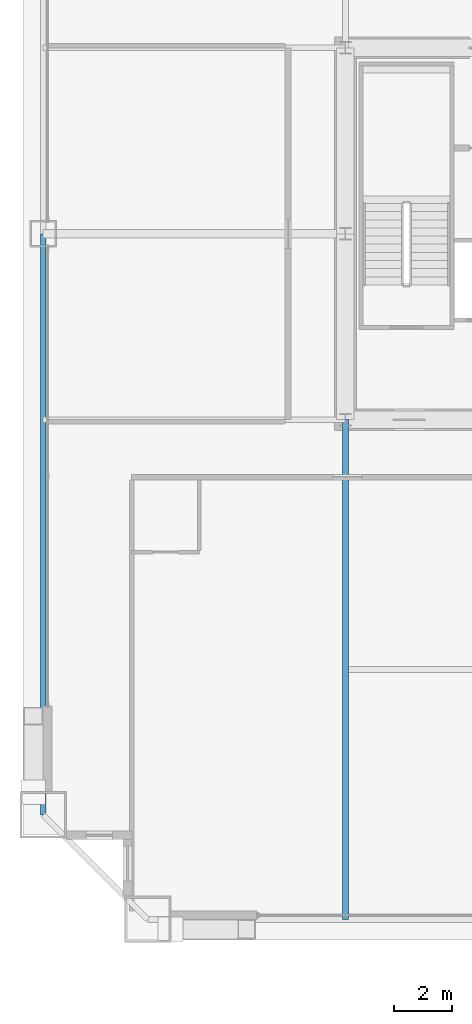
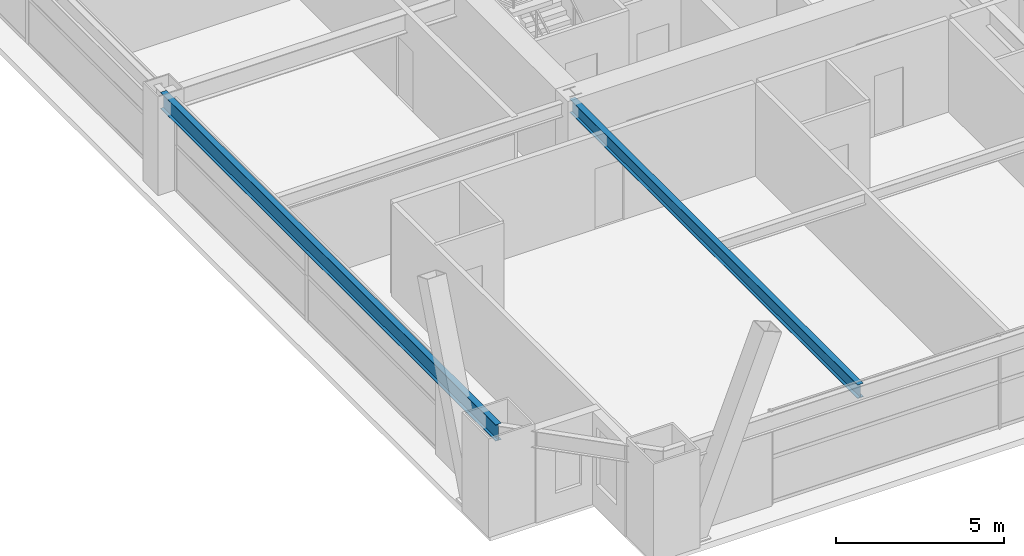
# One storey, part 7 of 41: 2 beams.
"""IFC4 building model written with IfcOpenShell, lengths in metres."""

import ifcopenshell
import ifcopenshell.guid

model = None  # the IFC model being written
_history = None  # IfcOwnerHistory: only IFC2X3 demands one
_inside = {}  # id of a spatial element -> (the spatial element, [elements in it])
_under = {}  # id of a project, library or spatial element -> (it, [spatial elements below it])
_declared = {}  # id of a project -> (the project, [libraries it declares])
_typed = {}  # id of a type object -> (the type object, [elements of that type])
_made_of = {}  # id of a material, layer set ... -> (it, [elements and type objects made of it])


def new_model(schema):
    """Start an empty IFC model of exactly this schema.

    Asked for "IFC4X3", IfcOpenShell would pick the latest addendum, in which some entities
    have other attributes; the version numbers below select the first issue.
    IFC2X3 requires an IfcOwnerHistory on every rooted entity: one is made here for all.
    """
    global model, _history
    if schema == "IFC4X3":
        model = ifcopenshell.file(schema_version=(4, 3, 0, 0))
    else:
        model = ifcopenshell.file(schema=schema)
    _inside.clear()
    _under.clear()
    _declared.clear()
    _typed.clear()
    _made_of.clear()
    _history = None
    if model.schema == "IFC2X3":
        org = make("IfcOrganization", Name="unknown")
        user = make(
            "IfcPersonAndOrganization",
            ThePerson=make("IfcPerson", FamilyName="unknown"),
            TheOrganization=org,
        )
        app = make(
            "IfcApplication",
            ApplicationDeveloper=org,
            Version="unknown",
            ApplicationFullName="unknown",
            ApplicationIdentifier="unknown",
        )
        _history = make(
            "IfcOwnerHistory",
            OwningUser=user,
            OwningApplication=app,
            ChangeAction="ADDED",
            CreationDate=0,
        )
    return model


def make(cls, **values):
    """One entity of the class cls with the attributes given. An attribute that is None is left unset."""
    return model.create_entity(
        cls, **{name: value for name, value in values.items() if value is not None}
    )


def rooted(cls, **values):
    """An entity with a GlobalId (a new one), such as an element, a storey or a relation."""
    return make(cls, GlobalId=ifcopenshell.guid.new(), OwnerHistory=_history, **values)


def si_unit(unit_type, name, prefix=None):
    """IfcSIUnit, for example si_unit("LENGTHUNIT", "METRE", prefix="MILLI")."""
    return make("IfcSIUnit", UnitType=unit_type, Prefix=prefix, Name=name)


def assignment(units):
    """IfcUnitAssignment: the units of a project."""
    return None if units is None else make("IfcUnitAssignment", Units=units)


def point(xyz):
    """IfcCartesianPoint."""
    return None if xyz is None else make("IfcCartesianPoint", Coordinates=xyz)


def direction(xyz):
    """IfcDirection."""
    return None if xyz is None else make("IfcDirection", DirectionRatios=xyz)


def frame(location, z_axis=None, x_axis=None):
    """IfcAxis2Placement3D, a coordinate frame: its origin and axes. An axis left out is left unset."""
    return make(
        "IfcAxis2Placement3D",
        Location=point(location),
        Axis=direction(z_axis),
        RefDirection=direction(x_axis),
    )


def frame_2d(location, x_axis=None):
    """IfcAxis2Placement2D, a coordinate frame in the plane: its origin and x axis."""
    return make(
        "IfcAxis2Placement2D", Location=point(location), RefDirection=direction(x_axis)
    )


def origin():
    """The frame at (0, 0, 0) with its axes left unset."""
    return frame((0.0, 0.0, 0.0))


def origin_2d():
    """The frame at (0, 0) in the plane with its x axis left unset."""
    return frame_2d((0.0, 0.0))


def place(relative_to, where):
    """IfcLocalPlacement: puts the frame where relative to a parent placement (None: the world)."""
    return make(
        "IfcLocalPlacement", PlacementRelTo=relative_to, RelativePlacement=where
    )


def context(
    kind, dimensions, precision=None, world=None, true_north=None, identifier=None
):
    """IfcGeometricRepresentationContext, for example the 3D "Model" context."""
    return make(
        "IfcGeometricRepresentationContext",
        ContextIdentifier=identifier,
        ContextType=kind,
        CoordinateSpaceDimension=dimensions,
        Precision=precision,
        WorldCoordinateSystem=world,
        TrueNorth=true_north,
    )


def subcontext(parent, identifier, kind, view, scale=None):
    """IfcGeometricRepresentationSubContext, for example "Body" below "Model"."""
    return make(
        "IfcGeometricRepresentationSubContext",
        ContextIdentifier=identifier,
        ContextType=kind,
        ParentContext=parent,
        TargetScale=scale,
        TargetView=view,
    )


def project(units=None, contexts=None):
    """IfcProject with its units and contexts."""
    return rooted(
        "IfcProject",
        Name="project",
        RepresentationContexts=contexts,
        UnitsInContext=assignment(units),
    )


def spatial(cls, under=None, at=None, **own):
    """A site, building, storey or space (cls), placed at a placement, below another one or the project."""
    s = rooted(cls, ObjectPlacement=at, **own)
    if under is not None:
        _under.setdefault(under.id(), (under, []))[1].append(s)
    return s


def profile(cls, at=None, kind="AREA", **sizes):
    """A parametric profile (cls). Its sizes go by their IFC names, for example OverallWidth=200.0."""
    return make(cls, ProfileType=kind, Position=at, **sizes)


def i_section(**sizes):
    """IfcIShapeProfileDef."""
    return profile("IfcIShapeProfileDef", **sizes)


def extrude(swept, where, along, depth):
    """IfcExtrudedAreaSolid: the profile swept, set in the frame where, extruded along a direction by depth."""
    return make(
        "IfcExtrudedAreaSolid",
        SweptArea=swept,
        Position=where,
        ExtrudedDirection=direction(along),
        Depth=depth,
    )


def shape(context_of_items, identifier, shape_type, items):
    """IfcShapeRepresentation: the items that make up one representation, for example the "Body"."""
    return make(
        "IfcShapeRepresentation",
        ContextOfItems=context_of_items,
        RepresentationIdentifier=identifier,
        RepresentationType=shape_type,
        Items=items,
    )


def source(mapping_origin, context_of_items, identifier, shape_type, items):
    """IfcRepresentationMap: a shape defined once, which mapped items show again and again."""
    return make(
        "IfcRepresentationMap",
        MappingOrigin=mapping_origin,
        MappedRepresentation=shape(context_of_items, identifier, shape_type, items),
    )


def transform(
    local_origin,
    x_axis=None,
    y_axis=None,
    z_axis=None,
    scale=None,
    scale2=None,
    scale3=None,
    uniform=True,
):
    """IfcCartesianTransformationOperator3D, or its non-uniform kind. x_axis, y_axis, z_axis: its Axis1, 2, 3."""
    if uniform:
        return make(
            "IfcCartesianTransformationOperator3D",
            Axis1=direction(x_axis),
            Axis2=direction(y_axis),
            LocalOrigin=point(local_origin),
            Scale=scale,
            Axis3=direction(z_axis),
        )
    return make(
        "IfcCartesianTransformationOperator3DnonUniform",
        Axis1=direction(x_axis),
        Axis2=direction(y_axis),
        LocalOrigin=point(local_origin),
        Scale=scale,
        Axis3=direction(z_axis),
        Scale2=scale2,
        Scale3=scale3,
    )


def mapped(mapping_source, mapping_target):
    """IfcMappedItem: shows the shape of a source again, moved by a transform."""
    return make(
        "IfcMappedItem", MappingSource=mapping_source, MappingTarget=mapping_target
    )


def material(Name=None, Category=None):
    """IfcMaterial."""
    return make("IfcMaterial", Name=Name, Category=Category)


def material_profile(
    of_material, cross_section, Name=None, Category=None, Priority=None
):
    """IfcMaterialProfile: a cross section and its material."""
    return make(
        "IfcMaterialProfile",
        Name=Name,
        Material=of_material,
        Profile=cross_section,
        Priority=Priority,
        Category=Category,
    )


def profile_set(profiles, Name=None, composite=None):
    """IfcMaterialProfileSet."""
    return make(
        "IfcMaterialProfileSet",
        Name=Name,
        MaterialProfiles=profiles,
        CompositeProfile=composite,
    )


def made_of(thing, what):
    """Note that an element or type object is made of a material, layer set ...; save() writes the relation."""
    if what is not None:
        _made_of.setdefault(what.id(), (what, []))[1].append(thing)
    return thing


def type_object(cls, material=None, **own):
    """A type object (cls), such as IfcWallType, which elements share."""
    return made_of(rooted(cls, **own), material)


def element(
    cls,
    number,
    at=None,
    inside=None,
    cuts=None,
    type_object=None,
    material=None,
    context=None,
    identifier="Body",
    shape_type=None,
    held_by="IfcProductDefinitionShape",
    body=None,
    shapes=None,
    **own,
):
    """One element of the class cls, such as IfcWall. Its Tag is "e" and its number.

    at: its placement. inside: the storey or other place that contains it. cuts: it is an
    opening in that element (IfcRelVoidsElement). A single representation is given by context,
    identifier, shape_type and body (its items); several are given by shapes. held_by: the class
    of the entity that holds the representations. save() writes the other relations.
    """
    e = rooted(cls, Tag="e%d" % number, ObjectPlacement=at, **own)
    if body is not None:
        shapes = [shape(context, identifier, shape_type, body)]
    if shapes is not None:
        e.Representation = make(held_by, Representations=shapes)
    if inside is not None:
        _inside.setdefault(inside.id(), (inside, []))[1].append(e)
    if cuts is not None:
        rooted(
            "IfcRelVoidsElement", RelatingBuildingElement=cuts, RelatedOpeningElement=e
        )
    if type_object is not None:
        _typed.setdefault(type_object.id(), (type_object, []))[1].append(e)
    return made_of(e, material)


def aggregate(whole, parts):
    """IfcRelAggregates: a whole, such as a stair, and the parts it consists of."""
    return rooted("IfcRelAggregates", RelatingObject=whole, RelatedObjects=parts)


def save(model, path):
    """Write the relations noted so far, then the file.

    IfcRelAggregates (storeys below a building ...), IfcRelContainedInSpatialStructure (elements
    in a storey), IfcRelDefinesByType, IfcRelAssociatesMaterial and IfcRelDeclares: one each for
    every whole, place, type object, material and project.
    """
    for whole, parts in _under.values():
        aggregate(whole, parts)
    for where, things in _inside.values():
        rooted(
            "IfcRelContainedInSpatialStructure",
            RelatedElements=things,
            RelatingStructure=where,
        )
    for kind, things in _typed.values():
        rooted("IfcRelDefinesByType", RelatedObjects=things, RelatingType=kind)
    for what, things in _made_of.values():
        rooted("IfcRelAssociatesMaterial", RelatedObjects=things, RelatingMaterial=what)
    for by, libraries in _declared.values():
        rooted("IfcRelDeclares", RelatingContext=by, RelatedDefinitions=libraries)
    model.write(path)


model = new_model("IFC4")

# Units and contexts
model_context = context("Model", 3, precision=1e-05, world=origin(), true_north=direction((0.0, 1.0)))
body_context = subcontext(model_context, "Body", "Model", "MODEL_VIEW")
ifc_project = project(units=[si_unit("LENGTHUNIT", "METRE"), si_unit("AREAUNIT", "SQUARE_METRE"), si_unit("VOLUMEUNIT", "CUBIC_METRE"), si_unit("PLANEANGLEUNIT", "RADIAN"), si_unit("MASSUNIT", "GRAM", prefix="KILO"), si_unit("THERMODYNAMICTEMPERATUREUNIT", "KELVIN"), si_unit("POWERUNIT", "WATT")], contexts=[model_context])

# Site, building, storey
site_placement = place(None, origin())
site = spatial("IfcSite", under=ifc_project, at=site_placement, CompositionType="ELEMENT")
building_placement = place(site_placement, origin())
building = spatial("IfcBuilding", under=site, at=building_placement, Name="Yuzanri Waterfront Tower", CompositionType="ELEMENT")
storey_placement = place(building_placement, frame((0.0, 0.0, 122.60009765625)))
storey = spatial("IfcBuildingStorey", under=building, at=storey_placement, Name="L32", CompositionType="ELEMENT", Elevation=122.60009765625)

# Beams
ifc_material_1 = material(Name="Steel Q355B", Category="steel")
ifc_material_profile_1 = material_profile(ifc_material_1, i_section(OverallWidth=0.199951171875, OverallDepth=0.60009765625, WebThickness=0.010986328125, FlangeThickness=0.01708984375, at=origin_2d()), Name="HN 600x200x11x17")
ifc_profile_set_1 = profile_set([ifc_material_profile_1], Name="Steel Q355B")
beam_type_1 = type_object("IfcBeamType", Name="Perimeter Spandrel Q355B HN 600x200", PredefinedType="SPANDREL", material=ifc_profile_set_1)
shared_shape_1 = source(origin(), body_context, "Body", "SweptSolid", [
    extrude(i_section(OverallWidth=0.199951171875, OverallDepth=0.60009765625, WebThickness=0.010986328125, FlangeThickness=0.01708984375, at=origin_2d()), origin(), (0.0, 0.0, 1.0), 20.0),
])
beam_1_placement = place(storey_placement, frame((13.39990234375, 25.800048828125, 3.079833984375), z_axis=(0.0, -1.0, 0.0), x_axis=(1.0, 0.0, 0.0)))
element("IfcBeam", 1, at=beam_1_placement, inside=storey, type_object=beam_type_1, Name="L32 Perimeter Spandrel W2-W1", PredefinedType="SPANDREL", context=body_context, shape_type="MappedRepresentation", body=[
    mapped(shared_shape_1, transform((0.0, 0.0, 0.0), scale=1.0)),
])
ifc_material_2 = material(Name="Steel Q355B", Category="steel")
ifc_material_profile_2 = material_profile(ifc_material_2, i_section(OverallWidth=0.199951171875, OverallDepth=0.5, WebThickness=0.010009765625, FlangeThickness=0.01611328125, at=origin_2d()), Name="HN 500x200x10x16")
ifc_profile_set_2 = profile_set([ifc_material_profile_2], Name="Steel Q355B")
beam_type_2 = type_object("IfcBeamType", Name="Secondary Floor Beam Q355B HN 500x200", PredefinedType="BEAM", material=ifc_profile_set_2)
shared_shape_2 = source(origin(), body_context, "Body", "SweptSolid", [
    extrude(i_section(OverallWidth=0.199951171875, OverallDepth=0.5, WebThickness=0.010009765625, FlangeThickness=0.01611328125, at=origin_2d()), origin(), (0.0, 0.0, 1.0), 17.199951171875),
])
beam_2_placement = place(storey_placement, frame((23.800048828125, 19.39990234375, 3.1298828125), z_axis=(0.0, -1.0, 0.0), x_axis=(1.0, 0.0, 0.0)))
element("IfcBeam", 2, at=beam_2_placement, inside=storey, type_object=beam_type_2, Name="L32 South-West Core Line Beam", PredefinedType="BEAM", context=body_context, shape_type="MappedRepresentation", body=[
    mapped(shared_shape_2, transform((0.0, 0.0, 0.0), scale=1.0)),
])

save(model, "model.ifc")
